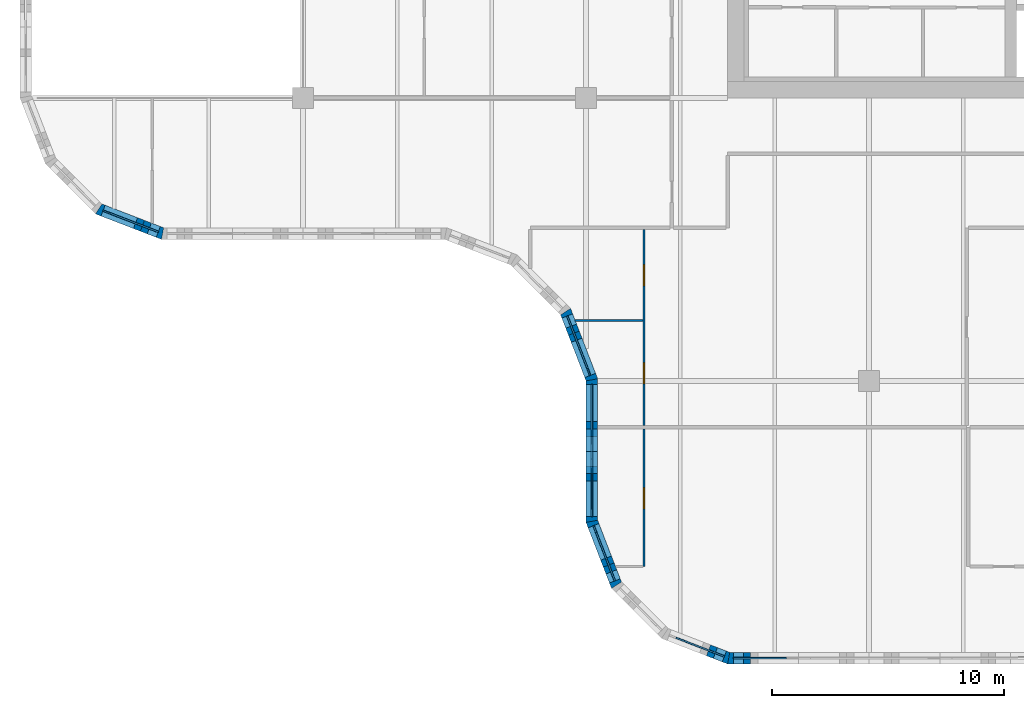
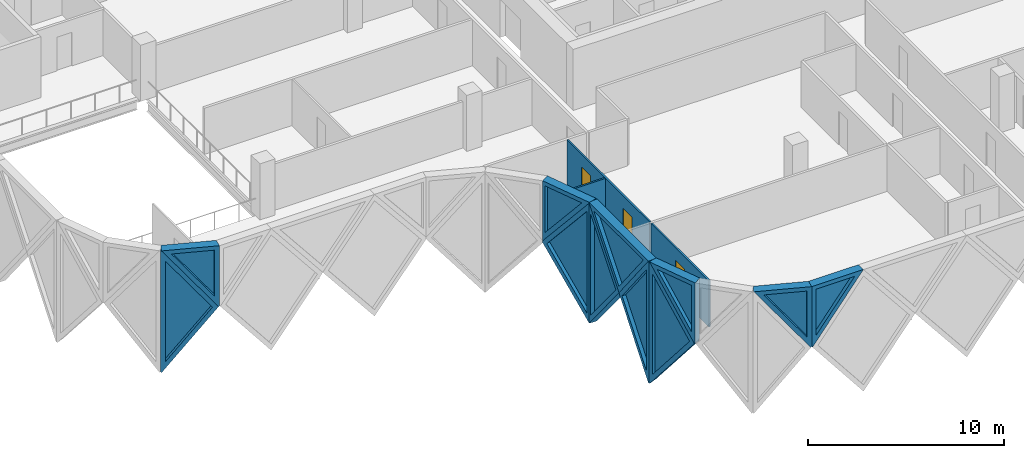
# One storey, part 3 of 15: 14 walls, 11 plates, 3 doors, 14 openings.
"""IFC4 building model written with IfcOpenShell, lengths in metres."""

import ifcopenshell
import ifcopenshell.guid

model = None  # the IFC model being written
_history = None  # IfcOwnerHistory: only IFC2X3 demands one
_inside = {}  # id of a spatial element -> (the spatial element, [elements in it])
_under = {}  # id of a project, library or spatial element -> (it, [spatial elements below it])
_declared = {}  # id of a project -> (the project, [libraries it declares])
_typed = {}  # id of a type object -> (the type object, [elements of that type])
_made_of = {}  # id of a material, layer set ... -> (it, [elements and type objects made of it])


def new_model(schema):
    """Start an empty IFC model of exactly this schema.

    Asked for "IFC4X3", IfcOpenShell would pick the latest addendum, in which some entities
    have other attributes; the version numbers below select the first issue.
    IFC2X3 requires an IfcOwnerHistory on every rooted entity: one is made here for all.
    """
    global model, _history
    if schema == "IFC4X3":
        model = ifcopenshell.file(schema_version=(4, 3, 0, 0))
    else:
        model = ifcopenshell.file(schema=schema)
    _inside.clear()
    _under.clear()
    _declared.clear()
    _typed.clear()
    _made_of.clear()
    _history = None
    if model.schema == "IFC2X3":
        org = make("IfcOrganization", Name="unknown")
        user = make(
            "IfcPersonAndOrganization",
            ThePerson=make("IfcPerson", FamilyName="unknown"),
            TheOrganization=org,
        )
        app = make(
            "IfcApplication",
            ApplicationDeveloper=org,
            Version="unknown",
            ApplicationFullName="unknown",
            ApplicationIdentifier="unknown",
        )
        _history = make(
            "IfcOwnerHistory",
            OwningUser=user,
            OwningApplication=app,
            ChangeAction="ADDED",
            CreationDate=0,
        )
    return model


def make(cls, **values):
    """One entity of the class cls with the attributes given. An attribute that is None is left unset."""
    return model.create_entity(
        cls, **{name: value for name, value in values.items() if value is not None}
    )


def rooted(cls, **values):
    """An entity with a GlobalId (a new one), such as an element, a storey or a relation."""
    return make(cls, GlobalId=ifcopenshell.guid.new(), OwnerHistory=_history, **values)


def si_unit(unit_type, name, prefix=None):
    """IfcSIUnit, for example si_unit("LENGTHUNIT", "METRE", prefix="MILLI")."""
    return make("IfcSIUnit", UnitType=unit_type, Prefix=prefix, Name=name)


def assignment(units):
    """IfcUnitAssignment: the units of a project."""
    return None if units is None else make("IfcUnitAssignment", Units=units)


def point(xyz):
    """IfcCartesianPoint."""
    return None if xyz is None else make("IfcCartesianPoint", Coordinates=xyz)


def direction(xyz):
    """IfcDirection."""
    return None if xyz is None else make("IfcDirection", DirectionRatios=xyz)


def frame(location, z_axis=None, x_axis=None):
    """IfcAxis2Placement3D, a coordinate frame: its origin and axes. An axis left out is left unset."""
    return make(
        "IfcAxis2Placement3D",
        Location=point(location),
        Axis=direction(z_axis),
        RefDirection=direction(x_axis),
    )


def frame_2d(location, x_axis=None):
    """IfcAxis2Placement2D, a coordinate frame in the plane: its origin and x axis."""
    return make(
        "IfcAxis2Placement2D", Location=point(location), RefDirection=direction(x_axis)
    )


def origin():
    """The frame at (0, 0, 0) with its axes left unset."""
    return frame((0.0, 0.0, 0.0))


def place(relative_to, where):
    """IfcLocalPlacement: puts the frame where relative to a parent placement (None: the world)."""
    return make(
        "IfcLocalPlacement", PlacementRelTo=relative_to, RelativePlacement=where
    )


def context(
    kind, dimensions, precision=None, world=None, true_north=None, identifier=None
):
    """IfcGeometricRepresentationContext, for example the 3D "Model" context."""
    return make(
        "IfcGeometricRepresentationContext",
        ContextIdentifier=identifier,
        ContextType=kind,
        CoordinateSpaceDimension=dimensions,
        Precision=precision,
        WorldCoordinateSystem=world,
        TrueNorth=true_north,
    )


def subcontext(parent, identifier, kind, view, scale=None):
    """IfcGeometricRepresentationSubContext, for example "Body" below "Model"."""
    return make(
        "IfcGeometricRepresentationSubContext",
        ContextIdentifier=identifier,
        ContextType=kind,
        ParentContext=parent,
        TargetScale=scale,
        TargetView=view,
    )


def project(units=None, contexts=None):
    """IfcProject with its units and contexts."""
    return rooted(
        "IfcProject",
        Name="project",
        RepresentationContexts=contexts,
        UnitsInContext=assignment(units),
    )


def spatial(cls, under=None, at=None, **own):
    """A site, building, storey or space (cls), placed at a placement, below another one or the project."""
    s = rooted(cls, ObjectPlacement=at, **own)
    if under is not None:
        _under.setdefault(under.id(), (under, []))[1].append(s)
    return s


def polyline(points):
    """IfcPolyline through the points."""
    return make("IfcPolyline", Points=[point(p) for p in points])


def profile(cls, at=None, kind="AREA", **sizes):
    """A parametric profile (cls). Its sizes go by their IFC names, for example OverallWidth=200.0."""
    return make(cls, ProfileType=kind, Position=at, **sizes)


def rectangle(**sizes):
    """IfcRectangleProfileDef."""
    return profile("IfcRectangleProfileDef", **sizes)


def outline(outer, holes=None, kind="AREA"):
    """IfcArbitraryClosedProfileDef: a profile drawn as a closed curve; with holes, ...WithVoids."""
    if holes is None:
        return make("IfcArbitraryClosedProfileDef", ProfileType=kind, OuterCurve=outer)
    return make(
        "IfcArbitraryProfileDefWithVoids",
        ProfileType=kind,
        OuterCurve=outer,
        InnerCurves=holes,
    )


def extrude(swept, where, along, depth):
    """IfcExtrudedAreaSolid: the profile swept, set in the frame where, extruded along a direction by depth."""
    return make(
        "IfcExtrudedAreaSolid",
        SweptArea=swept,
        Position=where,
        ExtrudedDirection=direction(along),
        Depth=depth,
    )


def faces_of(points, faces, orient=None, outer=None):
    """IfcFace entities. A face is a list of loops; a loop is a list of indices into points, from 0.

    orient and outer hold one flag for each loop. By default every Orientation is true, the
    first loop of a face is its IfcFaceOuterBound and the others are IfcFaceBound.
    """
    made = []
    for i, loops in enumerate(faces):
        bounds = []
        for j, loop in enumerate(loops):
            is_outer = j == 0 if outer is None else outer[i][j]
            bounds.append(
                make(
                    "IfcFaceOuterBound" if is_outer else "IfcFaceBound",
                    Bound=make("IfcPolyLoop", Polygon=[points[k] for k in loop]),
                    Orientation=True if orient is None else orient[i][j],
                )
            )
        made.append(make("IfcFace", Bounds=bounds))
    return made


def faceted_brep(points, faces, orient=None, outer=None, voids=None):
    """IfcFacetedBrep: a solid bounded by flat faces; with voids (closed shells), ...WithVoids."""
    shared = [point(p) for p in points]
    hull = make("IfcClosedShell", CfsFaces=faces_of(shared, faces, orient, outer))
    if voids is None:
        return make("IfcFacetedBrep", Outer=hull)
    return make(
        "IfcFacetedBrepWithVoids",
        Outer=hull,
        Voids=[
            make(cls, CfsFaces=faces_of(shared, fs, o, b)) for cls, fs, o, b in voids
        ],
    )


def shape(context_of_items, identifier, shape_type, items):
    """IfcShapeRepresentation: the items that make up one representation, for example the "Body"."""
    return make(
        "IfcShapeRepresentation",
        ContextOfItems=context_of_items,
        RepresentationIdentifier=identifier,
        RepresentationType=shape_type,
        Items=items,
    )


def source(mapping_origin, context_of_items, identifier, shape_type, items):
    """IfcRepresentationMap: a shape defined once, which mapped items show again and again."""
    return make(
        "IfcRepresentationMap",
        MappingOrigin=mapping_origin,
        MappedRepresentation=shape(context_of_items, identifier, shape_type, items),
    )


def transform(
    local_origin,
    x_axis=None,
    y_axis=None,
    z_axis=None,
    scale=None,
    scale2=None,
    scale3=None,
    uniform=True,
):
    """IfcCartesianTransformationOperator3D, or its non-uniform kind. x_axis, y_axis, z_axis: its Axis1, 2, 3."""
    if uniform:
        return make(
            "IfcCartesianTransformationOperator3D",
            Axis1=direction(x_axis),
            Axis2=direction(y_axis),
            LocalOrigin=point(local_origin),
            Scale=scale,
            Axis3=direction(z_axis),
        )
    return make(
        "IfcCartesianTransformationOperator3DnonUniform",
        Axis1=direction(x_axis),
        Axis2=direction(y_axis),
        LocalOrigin=point(local_origin),
        Scale=scale,
        Axis3=direction(z_axis),
        Scale2=scale2,
        Scale3=scale3,
    )


def mapped(mapping_source, mapping_target):
    """IfcMappedItem: shows the shape of a source again, moved by a transform."""
    return make(
        "IfcMappedItem", MappingSource=mapping_source, MappingTarget=mapping_target
    )


def material(Name=None, Category=None):
    """IfcMaterial."""
    return make("IfcMaterial", Name=Name, Category=Category)


def layer(
    of_material, thickness, ventilated=None, Name=None, Category=None, Priority=None
):
    """IfcMaterialLayer: one layer of a wall or slab, of a material (None: an air gap)."""
    return make(
        "IfcMaterialLayer",
        Material=of_material,
        LayerThickness=thickness,
        IsVentilated=ventilated,
        Name=Name,
        Category=Category,
        Priority=Priority,
    )


def layer_set(layers, Name=None):
    """IfcMaterialLayerSet."""
    return make("IfcMaterialLayerSet", MaterialLayers=layers, LayerSetName=Name)


def made_of(thing, what):
    """Note that an element or type object is made of a material, layer set ...; save() writes the relation."""
    if what is not None:
        _made_of.setdefault(what.id(), (what, []))[1].append(thing)
    return thing


def type_object(cls, material=None, **own):
    """A type object (cls), such as IfcWallType, which elements share."""
    return made_of(rooted(cls, **own), material)


def element(
    cls,
    number,
    at=None,
    inside=None,
    cuts=None,
    type_object=None,
    material=None,
    context=None,
    identifier="Body",
    shape_type=None,
    held_by="IfcProductDefinitionShape",
    body=None,
    shapes=None,
    **own,
):
    """One element of the class cls, such as IfcWall. Its Tag is "e" and its number.

    at: its placement. inside: the storey or other place that contains it. cuts: it is an
    opening in that element (IfcRelVoidsElement). A single representation is given by context,
    identifier, shape_type and body (its items); several are given by shapes. held_by: the class
    of the entity that holds the representations. save() writes the other relations.
    """
    e = rooted(cls, Tag="e%d" % number, ObjectPlacement=at, **own)
    if body is not None:
        shapes = [shape(context, identifier, shape_type, body)]
    if shapes is not None:
        e.Representation = make(held_by, Representations=shapes)
    if inside is not None:
        _inside.setdefault(inside.id(), (inside, []))[1].append(e)
    if cuts is not None:
        rooted(
            "IfcRelVoidsElement", RelatingBuildingElement=cuts, RelatedOpeningElement=e
        )
    if type_object is not None:
        _typed.setdefault(type_object.id(), (type_object, []))[1].append(e)
    return made_of(e, material)


def fill(opening, filler):
    """IfcRelFillsElement: the door or window that sits in an opening."""
    return rooted(
        "IfcRelFillsElement",
        RelatingOpeningElement=opening,
        RelatedBuildingElement=filler,
    )


def aggregate(whole, parts):
    """IfcRelAggregates: a whole, such as a stair, and the parts it consists of."""
    return rooted("IfcRelAggregates", RelatingObject=whole, RelatedObjects=parts)


def save(model, path):
    """Write the relations noted so far, then the file.

    IfcRelAggregates (storeys below a building ...), IfcRelContainedInSpatialStructure (elements
    in a storey), IfcRelDefinesByType, IfcRelAssociatesMaterial and IfcRelDeclares: one each for
    every whole, place, type object, material and project.
    """
    for whole, parts in _under.values():
        aggregate(whole, parts)
    for where, things in _inside.values():
        rooted(
            "IfcRelContainedInSpatialStructure",
            RelatedElements=things,
            RelatingStructure=where,
        )
    for kind, things in _typed.values():
        rooted("IfcRelDefinesByType", RelatedObjects=things, RelatingType=kind)
    for what, things in _made_of.values():
        rooted("IfcRelAssociatesMaterial", RelatedObjects=things, RelatingMaterial=what)
    for by, libraries in _declared.values():
        rooted("IfcRelDeclares", RelatingContext=by, RelatedDefinitions=libraries)
    model.write(path)


model = new_model("IFC4")

# Units and contexts
model_context = context("Model", 3, precision=1e-05, world=origin(), true_north=direction((0.0, 1.0)))
body_context = subcontext(model_context, "Body", "Model", "MODEL_VIEW")
ifc_project = project(units=[si_unit("LENGTHUNIT", "METRE"), si_unit("AREAUNIT", "SQUARE_METRE"), si_unit("VOLUMEUNIT", "CUBIC_METRE"), si_unit("PLANEANGLEUNIT", "RADIAN"), si_unit("MASSUNIT", "GRAM", prefix="KILO")], contexts=[model_context])

# Site, building, storey
site_placement = place(None, origin())
site = spatial("IfcSite", under=ifc_project, at=site_placement, CompositionType="ELEMENT")
building_placement = place(site_placement, origin())
building = spatial("IfcBuilding", under=site, at=building_placement, Name="Tessera Gate Towers", CompositionType="ELEMENT")
storey_placement = place(building_placement, frame((0.0, 0.0, 146.800048828125)))
storey = spatial("IfcBuildingStorey", under=building, at=storey_placement, Name="L36", CompositionType="ELEMENT", Elevation=146.800048828125)

# Wall, opening, door
ifc_material_1 = material(Name="Gypsum board on steel studs", Category="steel")
ifc_layer_1 = layer(ifc_material_1, 0.10009765625)
ifc_layer_set_1 = layer_set([ifc_layer_1], Name="PARTITION 100")
wall_type_1 = type_object("IfcWallType", Name="PARTITION 100", PredefinedType="PARTITIONING", material=ifc_layer_set_1)
wall_1_placement = place(storey_placement, frame((26.89990234375, 4.199951171875, 0.0), z_axis=(0.0, 0.0, 1.0), x_axis=(0.0, 1.0, 0.0)))
wall_1 = element("IfcWall", 1, at=wall_1_placement, inside=storey, type_object=wall_type_1, Name="T1-L36-PW-004", PredefinedType="PARTITIONING", context=body_context, shape_type="SweptSolid", body=[
    extrude(rectangle(XDim=5.924072265625, YDim=0.10009765625, at=frame_2d((2.9619140625, 0.0))), origin(), (0.0, 0.0, 1.0), 2.887939453125),
])
shared_shape_1 = source(origin(), body_context, "Body", "SweptSolid", [
    extrude(rectangle(XDim=0.89990234375, YDim=2.10009765625, at=frame_2d((0.449951171875, 1.050048828125))), frame((0.0, 0.06005859375, 0.0), z_axis=(0.0, -1.0, 0.0), x_axis=(1.0, 0.0, 0.0)), (0.0, 0.0, 1.0), 0.1201171875),
])
opening_1_placement = place(wall_1_placement, frame((2.5, 0.0, 0.0)))
opening_1 = element("IfcOpeningElement", 2, at=opening_1_placement, cuts=wall_1, Name="Opening D190-A13-09", PredefinedType="OPENING", context=body_context, shape_type="MappedRepresentation", body=[
    mapped(shared_shape_1, transform((0.0, 0.0, 0.0), scale=1.0)),
])
ifc_material_2 = material(Name="Timber door leaf in steel frame", Category="steel")
door_type = type_object("IfcDoorType", Name="INTERNAL DOOR 900 NOT RATED", OperationType="NOTDEFINED", PredefinedType="DOOR", material=ifc_material_2)
shared_shape_2 = source(origin(), body_context, "Body", "SweptSolid", [
    extrude(rectangle(XDim=0.89990234375, YDim=2.10009765625, at=frame_2d((0.449951171875, 1.050048828125))), frame((0.0, 0.02490234375, 0.0), z_axis=(0.0, -1.0, 0.0), x_axis=(1.0, 0.0, 0.0)), (0.0, 0.0, 1.0), 0.050048828125),
])
door_1_placement = place(opening_1_placement, origin())
door_1 = element("IfcDoor", 3, at=door_1_placement, inside=storey, type_object=door_type, Name="T1-L36-PD-017", OperationType="SINGLE_SWING_LEFT", OverallHeight=2.10009765625, OverallWidth=0.89990234375, PredefinedType="DOOR", context=body_context, shape_type="MappedRepresentation", body=[
    mapped(shared_shape_2, transform((0.0, 0.0, 0.0), scale=1.0)),
])
fill(opening_1, door_1)

# Wall, openings, doors
wall_2_placement = place(storey_placement, frame((26.89990234375, 10.27587890625, 0.0), z_axis=(0.0, 0.0, 1.0), x_axis=(0.0, 1.0, 0.0)))
wall_2 = element("IfcWall", 4, at=wall_2_placement, inside=storey, type_object=wall_type_1, Name="T1-L36-PW-013", PredefinedType="PARTITIONING", context=body_context, shape_type="SweptSolid", body=[
    extrude(rectangle(XDim=8.4482421875, YDim=0.10009765625, at=frame_2d((4.22412109375, 0.0))), origin(), (0.0, 0.0, 1.0), 2.887939453125),
])
opening_2_placement = place(wall_2_placement, frame((6.02587890625, 0.0, 0.0)))
opening_2 = element("IfcOpeningElement", 5, at=opening_2_placement, cuts=wall_2, Name="Opening D190-A13-01", PredefinedType="OPENING", context=body_context, shape_type="MappedRepresentation", body=[
    mapped(shared_shape_1, transform((0.0, 0.0, 0.0), scale=1.0)),
])
opening_3_placement = place(wall_2_placement, frame((1.800048828125, 0.0, 0.0)))
opening_3 = element("IfcOpeningElement", 6, at=opening_3_placement, cuts=wall_2, Name="Opening D190-A13-02", PredefinedType="OPENING", context=body_context, shape_type="MappedRepresentation", body=[
    mapped(shared_shape_1, transform((0.0, 0.0, 0.0), scale=1.0)),
])
door_2_placement = place(opening_2_placement, origin())
door_2 = element("IfcDoor", 7, at=door_2_placement, inside=storey, type_object=door_type, Name="T1-L36-PD-002", OperationType="SINGLE_SWING_LEFT", OverallHeight=2.10009765625, OverallWidth=0.89990234375, PredefinedType="DOOR", context=body_context, shape_type="MappedRepresentation", body=[
    mapped(shared_shape_2, transform((0.0, 0.0, 0.0), scale=1.0)),
])
fill(opening_2, door_2)
door_3_placement = place(opening_3_placement, origin())
door_3 = element("IfcDoor", 8, at=door_3_placement, inside=storey, type_object=door_type, Name="T1-L36-PD-004", OperationType="SINGLE_SWING_LEFT", OverallHeight=2.10009765625, OverallWidth=0.89990234375, PredefinedType="DOOR", context=body_context, shape_type="MappedRepresentation", body=[
    mapped(shared_shape_2, transform((0.0, 0.0, 0.0), scale=1.0)),
])
fill(opening_3, door_3)

# Wall
wall_3_placement = place(storey_placement, frame((23.9326171875, 14.801025390625, 0.0), z_axis=(0.0, 0.0, 1.0), x_axis=(1.0, 0.0, 0.0)))
element("IfcWall", 9, at=wall_3_placement, inside=storey, type_object=wall_type_1, Name="T1-L36-PW-019", PredefinedType="PARTITIONING", context=body_context, shape_type="SweptSolid", body=[
    extrude(rectangle(XDim=2.91650390625, YDim=0.10009765625, at=frame_2d((1.458251953125, 0.0))), origin(), (0.0, 0.0, 1.0), 2.887939453125),
])

# Wall, opening, plate
ifc_material_3 = material(Name="Precast concrete C60/75 white", Category="concrete")
ifc_layer_2 = layer(ifc_material_3, 0.5)
ifc_layer_set_2 = layer_set([ifc_layer_2], Name="TS3 corner tessera")
wall_type_2 = type_object("IfcWallType", Name="TS3 corner tessera", PredefinedType="SOLIDWALL", material=ifc_layer_set_2)
shared_shape_3 = source(origin(), body_context, "Body", "Brep", [
    faceted_brep([(3.00341796875, -0.25, 0.0), (3.050048828125, -0.25, 0.06005859375), (3.050048828125, -0.25, 7.5400390625), (3.00341796875, -0.25, 7.60009765625), (0.0, -0.25, 3.800048828125), (0.0, 0.25, 3.800048828125), (2.956787109375, 0.25, 7.541259765625), (2.956787109375, 0.25, 0.058837890625), (3.00341796875, 0.000244140625, 0.0), (3.00341796875, 0.000244140625, 7.60009765625)], [[[0, 1, 2, 3, 4]], [[5, 6, 7]], [[1, 0, 8]], [[9, 3, 2]], [[6, 5, 4, 3, 9]], [[5, 7, 8, 0, 4]], [[1, 8, 7, 6, 9, 2]]]),
])
wall_4_placement = place(storey_placement, frame((24.64990234375, 9.14990234375, -3.800048828125), z_axis=(0.0, 0.0, 1.0), x_axis=(0.0, -1.0, 0.0)))
wall_4 = element("IfcWall", 10, at=wall_4_placement, inside=storey, type_object=wall_type_2, Name="Precast corner tessera T1 TS3-0837", PredefinedType="SOLIDWALL", context=body_context, shape_type="MappedRepresentation", body=[
    mapped(shared_shape_3, transform((0.0, 0.0, 0.0), scale=1.0)),
])
shared_shape_4 = source(origin(), body_context, "Body", "SweptSolid", [
    extrude(outline(polyline([(2.803466796875, 6.94384765625), (0.318603515625, 3.800048828125), (2.803466796875, 0.65625), (2.803466796875, 6.94384765625)])), frame((0.0, 0.260009765625, 0.0), z_axis=(0.0, -1.0, 0.0), x_axis=(1.0, 0.0, 0.0)), (0.0, 0.0, 1.0), 0.52001953125),
])
opening_4_placement = place(wall_4_placement, origin())
opening_4 = element("IfcOpeningElement", 11, at=opening_4_placement, cuts=wall_4, Name="Opening T1-PL2-1312", PredefinedType="OPENING", context=body_context, shape_type="MappedRepresentation", body=[
    mapped(shared_shape_4, transform((0.0, 0.0, 0.0), scale=1.0)),
])
ifc_material_4 = material(Name="Low-e laminated glass", Category="glass")
ifc_layer_3 = layer(ifc_material_4, 0.06005859375)
ifc_layer_set_3 = layer_set([ifc_layer_3], Name="PL2 rhombic pane")
plate_type_1 = type_object("IfcPlateType", Name="PL2 rhombic pane", PredefinedType="SHEET", material=ifc_layer_set_3)
shared_shape_5 = source(origin(), body_context, "Body", "SweptSolid", [
    extrude(outline(polyline([(2.803466796875, 6.94384765625), (0.318603515625, 3.800048828125), (2.803466796875, 0.65625), (2.803466796875, 6.94384765625)])), frame((0.0, 0.030029296875, 0.0), z_axis=(0.0, -1.0, 0.0), x_axis=(1.0, 0.0, 0.0)), (0.0, 0.0, 1.0), 0.06005859375),
])
plate_1_placement = place(opening_4_placement, origin())
plate_1 = element("IfcPlate", 12, at=plate_1_placement, inside=storey, type_object=plate_type_1, Name="Glass pane T1 PL2-1312", PredefinedType="SHEET", context=body_context, shape_type="MappedRepresentation", body=[
    mapped(shared_shape_5, transform((0.0, 0.0, 0.0), scale=1.0)),
])
fill(opening_4, plate_1)

shared_shape_6 = source(origin(), body_context, "Body", "Brep", [
    faceted_brep([(0.046630859375, -0.25, 0.0), (2.9970703125, -0.25, 3.800048828125), (0.046630859375, -0.25, 7.60009765625), (0.0, -0.25, 7.541259765625), (0.0, -0.25, 0.058837890625), (0.09326171875, 0.25, 7.5400390625), (2.9443359375, 0.25, 3.8681640625), (2.9443359375, 0.25, 3.73193359375), (0.09326171875, 0.25, 0.06005859375), (2.9970703125, 0.00048828125, 3.800048828125), (0.046630859375, 0.0, 0.0), (0.046630859375, 0.0, 7.60009765625)], [[[0, 1, 2, 3, 4]], [[5, 6, 7, 8]], [[8, 7, 9, 1, 0, 10]], [[6, 5, 11, 2, 1, 9]], [[3, 2, 11]], [[10, 0, 4]], [[8, 10, 4, 3, 11, 5]], [[9, 7, 6]]]),
])
wall_5_placement = place(storey_placement, frame((24.63330078125, 6.18994140625, -3.800048828125), z_axis=(0.0, 0.0, 1.0), x_axis=(0.359901446078, -0.932990326376, 0.0)))
wall_5 = element("IfcWall", 13, at=wall_5_placement, inside=storey, type_object=wall_type_2, Name="Precast corner tessera T1 TS3-0838", PredefinedType="SOLIDWALL", context=body_context, shape_type="MappedRepresentation", body=[
    mapped(shared_shape_6, transform((0.0, 0.0, 0.0), scale=1.0)),
])
shared_shape_7 = source(origin(), body_context, "Body", "SweptSolid", [
    extrude(outline(polyline([(0.24658203125, 0.665283203125), (2.6806640625, 3.800048828125), (0.24658203125, 6.934814453125), (0.24658203125, 0.665283203125)])), frame((0.0, 0.260009765625, 0.0), z_axis=(0.0, -1.0, 0.0), x_axis=(1.0, 0.0, 0.0)), (0.0, 0.0, 1.0), 0.52001953125),
])
opening_5_placement = place(wall_5_placement, origin())
opening_5 = element("IfcOpeningElement", 14, at=opening_5_placement, cuts=wall_5, Name="Opening T1-PL2-1313", PredefinedType="OPENING", context=body_context, shape_type="MappedRepresentation", body=[
    mapped(shared_shape_7, transform((0.0, 0.0, 0.0), scale=1.0)),
])
shared_shape_8 = source(origin(), body_context, "Body", "SweptSolid", [
    extrude(outline(polyline([(0.24658203125, 0.665283203125), (2.6806640625, 3.800048828125), (0.24658203125, 6.934814453125), (0.24658203125, 0.665283203125)])), frame((0.0, 0.030029296875, 0.0), z_axis=(0.0, -1.0, 0.0), x_axis=(1.0, 0.0, 0.0)), (0.0, 0.0, 1.0), 0.06005859375),
])
plate_2_placement = place(opening_5_placement, origin())
plate_2 = element("IfcPlate", 15, at=plate_2_placement, inside=storey, type_object=plate_type_1, Name="Glass pane T1 PL2-1313", PredefinedType="SHEET", context=body_context, shape_type="MappedRepresentation", body=[
    mapped(shared_shape_8, transform((0.0, 0.0, 0.0), scale=1.0)),
])
fill(opening_5, plate_2)

shared_shape_9 = source(origin(), body_context, "Body", "Brep", [
    faceted_brep([(0.052978515625, -0.25, 0.0), (3.00341796875, -0.25, 3.800048828125), (0.052978515625, -0.25, 7.60009765625), (0.0, -0.25, 7.53173828125), (0.0, -0.25, 0.068359375), (0.10595703125, 0.25, 7.531982421875), (2.95703125, 0.25, 3.85986328125), (2.95703125, 0.25, 3.740234375), (0.10595703125, 0.25, 0.068115234375), (3.00341796875, 0.00048828125, 3.800048828125), (0.052978515625, 0.0, 0.0), (0.052978515625, 0.0, 7.60009765625)], [[[0, 1, 2, 3, 4]], [[5, 6, 7, 8]], [[8, 7, 9, 1, 0, 10]], [[6, 5, 11, 2, 1, 9]], [[3, 2, 11]], [[10, 0, 4]], [[8, 10, 4, 3, 11, 5]], [[9, 7, 6]]]),
])
wall_6_placement = place(storey_placement, frame((3.34423828125, 19.630859375, -3.800048828125), z_axis=(0.0, 0.0, 1.0), x_axis=(0.933007896601, -0.359855894603, 0.0)))
wall_6 = element("IfcWall", 16, at=wall_6_placement, inside=storey, type_object=wall_type_2, Name="Precast corner tessera T1 TS3-0832", PredefinedType="SOLIDWALL", context=body_context, shape_type="MappedRepresentation", body=[
    mapped(shared_shape_9, transform((0.0, 0.0, 0.0), scale=1.0)),
])
shared_shape_10 = source(origin(), body_context, "Body", "SweptSolid", [
    extrude(outline(polyline([(0.2529296875, 0.665283203125), (2.68701171875, 3.800048828125), (0.2529296875, 6.934814453125), (0.2529296875, 0.665283203125)])), frame((0.0, 0.260009765625, 0.0), z_axis=(0.0, -1.0, 0.0), x_axis=(1.0, 0.0, 0.0)), (0.0, 0.0, 1.0), 0.52001953125),
])
opening_6_placement = place(wall_6_placement, origin())
opening_6 = element("IfcOpeningElement", 17, at=opening_6_placement, cuts=wall_6, Name="Opening T1-PL2-1305", PredefinedType="OPENING", context=body_context, shape_type="MappedRepresentation", body=[
    mapped(shared_shape_10, transform((0.0, 0.0, 0.0), scale=1.0)),
])
shared_shape_11 = source(origin(), body_context, "Body", "SweptSolid", [
    extrude(outline(polyline([(0.2529296875, 0.665283203125), (2.68701171875, 3.800048828125), (0.2529296875, 6.934814453125), (0.2529296875, 0.665283203125)])), frame((0.0, 0.030029296875, 0.0), z_axis=(0.0, -1.0, 0.0), x_axis=(1.0, 0.0, 0.0)), (0.0, 0.0, 1.0), 0.06005859375),
])
plate_3_placement = place(opening_6_placement, origin())
plate_3 = element("IfcPlate", 18, at=plate_3_placement, inside=storey, type_object=plate_type_1, Name="Glass pane T1 PL2-1305", PredefinedType="SHEET", context=body_context, shape_type="MappedRepresentation", body=[
    mapped(shared_shape_11, transform((0.0, 0.0, 0.0), scale=1.0)),
])
fill(opening_6, plate_3)

shared_shape_12 = source(origin(), body_context, "Body", "Brep", [
    faceted_brep([(3.10302734375, -0.25, 7.5439453125), (0.052978515625, -0.25, 3.864013671875), (0.052978515625, -0.25, 3.736083984375), (3.10302734375, -0.25, 0.05615234375), (0.0, 0.25, 3.800048828125), (3.1494140625, 0.25, 7.60009765625), (3.196044921875, 0.25, 7.54296875), (3.196044921875, 0.25, 0.05712890625), (3.1494140625, 0.25, 0.0), (3.1494140625, -0.000244140625, 0.0), (3.1494140625, -0.000244140625, 7.60009765625), (0.0, 0.0, 3.800048828125)], [[[0, 1, 2, 3]], [[4, 5, 6, 7, 8]], [[8, 7, 9]], [[6, 5, 10]], [[5, 4, 11, 1, 0, 10]], [[4, 8, 9, 3, 2, 11]], [[11, 2, 1]], [[3, 9, 7, 6, 10, 0]]]),
])
wall_7_placement = place(storey_placement, frame((23.5166015625, 15.18505859375, -3.800048828125), z_axis=(0.0, 0.0, 1.0), x_axis=(0.359864468756, -0.933004589553, 0.0)))
wall_7 = element("IfcWall", 19, at=wall_7_placement, inside=storey, type_object=wall_type_2, Name="Precast corner tessera T1 TS3-0835", PredefinedType="SOLIDWALL", context=body_context, shape_type="MappedRepresentation", body=[
    mapped(shared_shape_12, transform((0.0, 0.0, 0.0), scale=1.0)),
])
shared_shape_13 = source(origin(), body_context, "Body", "SweptSolid", [
    extrude(outline(polyline([(2.949462890625, 6.966796875), (0.32470703125, 3.800048828125), (2.949462890625, 0.633056640625), (2.949462890625, 6.966796875)])), frame((0.0, 0.260009765625, 0.0), z_axis=(0.0, -1.0, 0.0), x_axis=(1.0, 0.0, 0.0)), (0.0, 0.0, 1.0), 0.52001953125),
])
opening_7_placement = place(wall_7_placement, origin())
opening_7 = element("IfcOpeningElement", 20, at=opening_7_placement, cuts=wall_7, Name="Opening T1-PL2-1310", PredefinedType="OPENING", context=body_context, shape_type="MappedRepresentation", body=[
    mapped(shared_shape_13, transform((0.0, 0.0, 0.0), scale=1.0)),
])
shared_shape_14 = source(origin(), body_context, "Body", "SweptSolid", [
    extrude(outline(polyline([(2.949462890625, 6.966796875), (0.32470703125, 3.800048828125), (2.949462890625, 0.633056640625), (2.949462890625, 6.966796875)])), frame((0.0, 0.030029296875, 0.0), z_axis=(0.0, -1.0, 0.0), x_axis=(1.0, 0.0, 0.0)), (0.0, 0.0, 1.0), 0.06005859375),
])
plate_4_placement = place(opening_7_placement, origin())
plate_4 = element("IfcPlate", 21, at=plate_4_placement, inside=storey, type_object=plate_type_1, Name="Glass pane T1 PL2-1310", PredefinedType="SHEET", context=body_context, shape_type="MappedRepresentation", body=[
    mapped(shared_shape_14, transform((0.0, 0.0, 0.0), scale=1.0)),
])
fill(opening_7, plate_4)

shared_shape_15 = source(origin(), body_context, "Body", "Brep", [
    faceted_brep([(0.09326171875, -0.25, 0.05712890625), (3.14306640625, -0.25, 3.800048828125), (0.09326171875, -0.25, 7.54296875), (0.0, 0.25, 7.5439453125), (0.046630859375, 0.25, 7.60009765625), (3.14306640625, 0.25, 3.800048828125), (0.046630859375, 0.25, 0.0), (0.0, 0.25, 0.05615234375), (0.046630859375, 0.0, 0.0), (0.046630859375, 0.0, 7.60009765625)], [[[0, 1, 2]], [[3, 4, 5, 6, 7]], [[6, 5, 1, 0, 8]], [[5, 4, 9, 2, 1]], [[4, 3, 9]], [[7, 6, 8]], [[7, 8, 0, 2, 9, 3]]]),
])
wall_8_placement = place(storey_placement, frame((24.64990234375, 12.293212890625, -3.800048828125), z_axis=(0.0, 0.0, 1.0), x_axis=(0.0, -1.0, 0.0)))
wall_8 = element("IfcWall", 22, at=wall_8_placement, inside=storey, type_object=wall_type_2, Name="Precast corner tessera T1 TS3-0836", PredefinedType="SOLIDWALL", context=body_context, shape_type="MappedRepresentation", body=[
    mapped(shared_shape_15, transform((0.0, 0.0, 0.0), scale=1.0)),
])
shared_shape_16 = source(origin(), body_context, "Body", "SweptSolid", [
    extrude(outline(polyline([(0.24658203125, 0.64111328125), (2.82080078125, 3.800048828125), (0.24658203125, 6.958740234375), (0.24658203125, 0.64111328125)])), frame((0.0, 0.260009765625, 0.0), z_axis=(0.0, -1.0, 0.0), x_axis=(1.0, 0.0, 0.0)), (0.0, 0.0, 1.0), 0.52001953125),
])
opening_8_placement = place(wall_8_placement, origin())
opening_8 = element("IfcOpeningElement", 23, at=opening_8_placement, cuts=wall_8, Name="Opening T1-PL2-1311", PredefinedType="OPENING", context=body_context, shape_type="MappedRepresentation", body=[
    mapped(shared_shape_16, transform((0.0, 0.0, 0.0), scale=1.0)),
])
shared_shape_17 = source(origin(), body_context, "Body", "SweptSolid", [
    extrude(outline(polyline([(0.24658203125, 0.64111328125), (2.82080078125, 3.800048828125), (0.24658203125, 6.958740234375), (0.24658203125, 0.64111328125)])), frame((0.0, 0.030029296875, 0.0), z_axis=(0.0, -1.0, 0.0), x_axis=(1.0, 0.0, 0.0)), (0.0, 0.0, 1.0), 0.06005859375),
])
plate_5_placement = place(opening_8_placement, origin())
plate_5 = element("IfcPlate", 24, at=plate_5_placement, inside=storey, type_object=plate_type_1, Name="Glass pane T1 PL2-1311", PredefinedType="SHEET", context=body_context, shape_type="MappedRepresentation", body=[
    mapped(shared_shape_17, transform((0.0, 0.0, 0.0), scale=1.0)),
])
fill(opening_8, plate_5)

shared_shape_18 = source(origin(), body_context, "Body", "Brep", [
    faceted_brep([(0.046630859375, -0.25, 0.0), (3.050048828125, -0.25, 3.800048828125), (0.0, -0.25, 3.800048828125), (0.0, -0.25, 0.06005859375), (0.09326171875, 0.25, 3.800048828125), (3.050048828125, 0.25, 3.800048828125), (0.09326171875, 0.25, 0.058837890625), (0.046630859375, 0.0, 0.0)], [[[0, 1, 2, 3]], [[4, 5, 6]], [[6, 5, 1, 0, 7]], [[5, 4, 2, 1]], [[7, 0, 3]], [[6, 7, 3, 2, 4]]]),
])
wall_9_placement = place(storey_placement, frame((30.5, 0.25, 0.0), z_axis=(0.0, 0.0, 1.0), x_axis=(1.0, 0.0, 0.0)))
wall_9 = element("IfcWall", 25, at=wall_9_placement, inside=storey, type_object=wall_type_2, Name="Precast corner tessera T1 TS3-0841", PredefinedType="SOLIDWALL", context=body_context, shape_type="MappedRepresentation", body=[
    mapped(shared_shape_18, transform((0.0, 0.0, 0.0), scale=1.0)),
])
shared_shape_19 = source(origin(), body_context, "Body", "SweptSolid", [
    extrude(outline(polyline([(0.24658203125, 0.65625), (2.533935546875, 3.550048828125), (0.24658203125, 3.550048828125), (0.24658203125, 0.65625)])), frame((0.0, 0.260009765625, 0.0), z_axis=(0.0, -1.0, 0.0), x_axis=(1.0, 0.0, 0.0)), (0.0, 0.0, 1.0), 0.52001953125),
])
opening_9_placement = place(wall_9_placement, origin())
opening_9 = element("IfcOpeningElement", 26, at=opening_9_placement, cuts=wall_9, Name="Opening T1-PL1-0329", PredefinedType="OPENING", context=body_context, shape_type="MappedRepresentation", body=[
    mapped(shared_shape_19, transform((0.0, 0.0, 0.0), scale=1.0)),
])
ifc_material_5 = material(Name="Low-e laminated glass", Category="glass")
ifc_layer_4 = layer(ifc_material_5, 0.06005859375)
ifc_layer_set_4 = layer_set([ifc_layer_4], Name="PL1 triangular pane")
plate_type_2 = type_object("IfcPlateType", Name="PL1 triangular pane", PredefinedType="SHEET", material=ifc_layer_set_4)
shared_shape_20 = source(origin(), body_context, "Body", "SweptSolid", [
    extrude(outline(polyline([(0.24658203125, 0.65625), (2.533935546875, 3.550048828125), (0.24658203125, 3.550048828125), (0.24658203125, 0.65625)])), frame((0.0, 0.030029296875, 0.0), z_axis=(0.0, -1.0, 0.0), x_axis=(1.0, 0.0, 0.0)), (0.0, 0.0, 1.0), 0.06005859375),
])
plate_6_placement = place(opening_9_placement, origin())
plate_6 = element("IfcPlate", 27, at=plate_6_placement, inside=storey, type_object=plate_type_2, Name="Glass pane T1 PL1-0329", PredefinedType="SHEET", context=body_context, shape_type="MappedRepresentation", body=[
    mapped(shared_shape_20, transform((0.0, 0.0, 0.0), scale=1.0)),
])
fill(opening_9, plate_6)

shared_shape_21 = source(origin(), body_context, "Body", "Brep", [
    faceted_brep([(2.950439453125, -0.25, 0.0), (2.9970703125, -0.25, 0.05908203125), (2.9970703125, -0.25, 3.800048828125), (0.0, -0.25, 3.800048828125), (0.052978515625, 0.25, 3.800048828125), (2.904052734375, 0.25, 3.800048828125), (2.904052734375, 0.25, 0.059814453125), (0.052978515625, 0.25, 3.73193359375), (2.950439453125, 0.00048828125, 0.0), (0.0, 0.0, 3.800048828125)], [[[0, 1, 2, 3]], [[4, 5, 6, 7]], [[1, 0, 8]], [[5, 4, 9, 3, 2]], [[7, 6, 8, 0, 3, 9]], [[7, 9, 4]], [[1, 8, 6, 5, 2]]]),
])
wall_10_placement = place(storey_placement, frame((27.793701171875, 1.31201171875, 0.0), z_axis=(0.0, 0.0, 1.0), x_axis=(0.932973525033, -0.359944998003, 0.0)))
wall_10 = element("IfcWall", 28, at=wall_10_placement, inside=storey, type_object=wall_type_2, Name="Precast corner tessera T1 TS3-0842", PredefinedType="SOLIDWALL", context=body_context, shape_type="MappedRepresentation", body=[
    mapped(shared_shape_21, transform((0.0, 0.0, 0.0), scale=1.0)),
])
shared_shape_22 = source(origin(), body_context, "Body", "SweptSolid", [
    extrude(outline(polyline([(2.75048828125, 3.550048828125), (0.5107421875, 3.550048828125), (2.75048828125, 0.665283203125), (2.75048828125, 3.550048828125)])), frame((0.0, 0.260009765625, 0.0), z_axis=(0.0, -1.0, 0.0), x_axis=(1.0, 0.0, 0.0)), (0.0, 0.0, 1.0), 0.52001953125),
])
opening_10_placement = place(wall_10_placement, origin())
opening_10 = element("IfcOpeningElement", 29, at=opening_10_placement, cuts=wall_10, Name="Opening T1-PL1-0330", PredefinedType="OPENING", context=body_context, shape_type="MappedRepresentation", body=[
    mapped(shared_shape_22, transform((0.0, 0.0, 0.0), scale=1.0)),
])
shared_shape_23 = source(origin(), body_context, "Body", "SweptSolid", [
    extrude(outline(polyline([(2.75048828125, 3.550048828125), (0.5107421875, 3.550048828125), (2.75048828125, 0.665283203125), (2.75048828125, 3.550048828125)])), frame((0.0, 0.030029296875, 0.0), z_axis=(0.0, -1.0, 0.0), x_axis=(1.0, 0.0, 0.0)), (0.0, 0.0, 1.0), 0.06005859375),
])
plate_7_placement = place(opening_10_placement, origin())
plate_7 = element("IfcPlate", 30, at=plate_7_placement, inside=storey, type_object=plate_type_2, Name="Glass pane T1 PL1-0330", PredefinedType="SHEET", context=body_context, shape_type="MappedRepresentation", body=[
    mapped(shared_shape_23, transform((0.0, 0.0, 0.0), scale=1.0)),
])
fill(opening_10, plate_7)

shared_shape_24 = source(origin(), body_context, "Body", "Brep", [
    faceted_brep([(2.950439453125, -0.25, 0.0), (2.9970703125, -0.25, 0.05908203125), (2.9970703125, -0.25, 3.800048828125), (0.0, -0.25, 3.800048828125), (0.052978515625, 0.25, 3.800048828125), (2.904052734375, 0.25, 3.800048828125), (2.904052734375, 0.25, 0.059814453125), (0.052978515625, 0.25, 3.73193359375), (2.950439453125, 0.00048828125, 0.0), (0.0, 0.0, 3.800048828125)], [[[0, 1, 2, 3]], [[4, 5, 6, 7]], [[1, 0, 8]], [[5, 4, 9, 3, 2]], [[7, 6, 8, 0, 3, 9]], [[7, 9, 4]], [[1, 8, 6, 5, 2]]]),
])
wall_11_placement = place(storey_placement, frame((3.393798828125, 19.61181640625, 0.0), z_axis=(0.0, 0.0, 1.0), x_axis=(0.932990326376, -0.359901446078, 0.0)))
wall_11 = element("IfcWall", 31, at=wall_11_placement, inside=storey, type_object=wall_type_2, Name="Precast corner tessera T1 TS3-0857", PredefinedType="SOLIDWALL", context=body_context, shape_type="MappedRepresentation", body=[
    mapped(shared_shape_24, transform((0.0, 0.0, 0.0), scale=1.0)),
])
opening_11_placement = place(wall_11_placement, origin())
opening_11 = element("IfcOpeningElement", 32, at=opening_11_placement, cuts=wall_11, Name="Opening T1-PL1-0366", PredefinedType="OPENING", context=body_context, shape_type="MappedRepresentation", body=[
    mapped(shared_shape_22, transform((0.0, 0.0, 0.0), scale=1.0)),
])
plate_8_placement = place(opening_11_placement, origin())
plate_8 = element("IfcPlate", 33, at=plate_8_placement, inside=storey, type_object=plate_type_2, Name="Glass pane T1 PL1-0366", PredefinedType="SHEET", context=body_context, shape_type="MappedRepresentation", body=[
    mapped(shared_shape_23, transform((0.0, 0.0, 0.0), scale=1.0)),
])
fill(opening_11, plate_8)

shared_shape_25 = source(origin(), body_context, "Body", "Brep", [
    faceted_brep([(0.10595703125, -0.25, 0.06396484375), (3.156005859375, -0.25, 3.743896484375), (3.156005859375, -0.25, 3.800048828125), (0.10595703125, -0.25, 3.800048828125), (0.0, 0.25, 3.800048828125), (3.202392578125, 0.25, 3.800048828125), (0.052978515625, 0.25, 0.0), (0.0, 0.25, 0.063720703125), (3.202392578125, -0.000244140625, 3.800048828125), (0.052978515625, 0.0, 0.0)], [[[0, 1, 2, 3]], [[4, 5, 6, 7]], [[6, 5, 8, 1, 0, 9]], [[5, 4, 3, 2, 8]], [[7, 6, 9]], [[7, 9, 0, 3, 4]], [[1, 8, 2]]]),
])
wall_12_placement = place(storey_placement, frame((23.497314453125, 15.234375, 0.0), z_axis=(0.0, 0.0, 1.0), x_axis=(0.359913782069, -0.932985567668, 0.0)))
wall_12 = element("IfcWall", 34, at=wall_12_placement, inside=storey, type_object=wall_type_2, Name="Precast corner tessera T1 TS3-0862", PredefinedType="SOLIDWALL", context=body_context, shape_type="MappedRepresentation", body=[
    mapped(shared_shape_25, transform((0.0, 0.0, 0.0), scale=1.0)),
])
shared_shape_26 = source(origin(), body_context, "Body", "SweptSolid", [
    extrude(outline(polyline([(0.2529296875, 0.633056640625), (2.670654296875, 3.550048828125), (0.2529296875, 3.550048828125), (0.2529296875, 0.633056640625)])), frame((0.0, 0.260009765625, 0.0), z_axis=(0.0, -1.0, 0.0), x_axis=(1.0, 0.0, 0.0)), (0.0, 0.0, 1.0), 0.52001953125),
])
opening_12_placement = place(wall_12_placement, origin())
opening_12 = element("IfcOpeningElement", 35, at=opening_12_placement, cuts=wall_12, Name="Opening T1-PL1-0372", PredefinedType="OPENING", context=body_context, shape_type="MappedRepresentation", body=[
    mapped(shared_shape_26, transform((0.0, 0.0, 0.0), scale=1.0)),
])
shared_shape_27 = source(origin(), body_context, "Body", "SweptSolid", [
    extrude(outline(polyline([(0.2529296875, 0.633056640625), (2.670654296875, 3.550048828125), (0.2529296875, 3.550048828125), (0.2529296875, 0.633056640625)])), frame((0.0, 0.030029296875, 0.0), z_axis=(0.0, -1.0, 0.0), x_axis=(1.0, 0.0, 0.0)), (0.0, 0.0, 1.0), 0.06005859375),
])
plate_9_placement = place(opening_12_placement, origin())
plate_9 = element("IfcPlate", 36, at=plate_9_placement, inside=storey, type_object=plate_type_2, Name="Glass pane T1 PL1-0372", PredefinedType="SHEET", context=body_context, shape_type="MappedRepresentation", body=[
    mapped(shared_shape_27, transform((0.0, 0.0, 0.0), scale=1.0)),
])
fill(opening_12, plate_9)

ifc_material_6 = material(Name="Precast concrete C60/75 white", Category="concrete")
ifc_layer_5 = layer(ifc_material_6, 0.5)
ifc_layer_set_5 = layer_set([ifc_layer_5], Name="TS2 half tessera")
wall_type_3 = type_object("IfcWallType", Name="TS2 half tessera", PredefinedType="SOLIDWALL", material=ifc_layer_set_5)
shared_shape_28 = source(origin(), body_context, "Body", "Brep", [
    faceted_brep([(3.096435546875, -0.25, 0.0), (6.10009765625, -0.25, 3.800048828125), (0.046630859375, -0.25, 3.800048828125), (0.046630859375, -0.25, 3.742919921875), (0.0, 0.25, 3.800048828125), (6.053466796875, 0.25, 3.800048828125), (6.053466796875, 0.25, 3.740966796875), (3.096435546875, 0.25, 0.0), (6.10009765625, -0.00048828125, 3.800048828125), (0.0, 0.0, 3.800048828125)], [[[0, 1, 2, 3]], [[4, 5, 6, 7]], [[7, 6, 8, 1, 0]], [[5, 4, 9, 2, 1, 8]], [[4, 7, 0, 3, 9]], [[3, 2, 9]], [[6, 5, 8]]]),
])
wall_13_placement = place(storey_placement, frame((24.64990234375, 12.24658203125, 0.0), z_axis=(0.0, 0.0, 1.0), x_axis=(0.0, -1.0, 0.0)))
wall_13 = element("IfcWall", 37, at=wall_13_placement, inside=storey, type_object=wall_type_3, Name="Precast half tessera T1 TS2-0183", PredefinedType="SOLIDWALL", context=body_context, shape_type="MappedRepresentation", body=[
    mapped(shared_shape_28, transform((0.0, 0.0, 0.0), scale=1.0)),
])
shared_shape_29 = source(origin(), body_context, "Body", "SweptSolid", [
    extrude(outline(polyline([(3.093505859375, 0.3994140625), (5.583740234375, 3.550048828125), (0.526123046875, 3.550048828125), (3.093505859375, 0.3994140625)])), frame((0.0, 0.260009765625, 0.0), z_axis=(0.0, -1.0, 0.0), x_axis=(1.0, 0.0, 0.0)), (0.0, 0.0, 1.0), 0.52001953125),
])
opening_13_placement = place(wall_13_placement, origin())
opening_13 = element("IfcOpeningElement", 38, at=opening_13_placement, cuts=wall_13, Name="Opening T1-PL1-0373", PredefinedType="OPENING", context=body_context, shape_type="MappedRepresentation", body=[
    mapped(shared_shape_29, transform((0.0, 0.0, 0.0), scale=1.0)),
])
shared_shape_30 = source(origin(), body_context, "Body", "SweptSolid", [
    extrude(outline(polyline([(3.093505859375, 0.3994140625), (5.583740234375, 3.550048828125), (0.526123046875, 3.550048828125), (3.093505859375, 0.3994140625)])), frame((0.0, 0.030029296875, 0.0), z_axis=(0.0, -1.0, 0.0), x_axis=(1.0, 0.0, 0.0)), (0.0, 0.0, 1.0), 0.06005859375),
])
plate_10_placement = place(opening_13_placement, origin())
plate_10 = element("IfcPlate", 39, at=plate_10_placement, inside=storey, type_object=plate_type_2, Name="Glass pane T1 PL1-0373", PredefinedType="SHEET", context=body_context, shape_type="MappedRepresentation", body=[
    mapped(shared_shape_30, transform((0.0, 0.0, 0.0), scale=1.0)),
])
fill(opening_13, plate_10)

shared_shape_31 = source(origin(), body_context, "Body", "Brep", [
    faceted_brep([(2.950439453125, -0.25, 0.0), (3.00341796875, -0.25, 0.068359375), (3.00341796875, -0.25, 3.800048828125), (0.0, -0.25, 3.800048828125), (0.046630859375, 0.25, 3.800048828125), (2.897705078125, 0.25, 3.800048828125), (2.897705078125, 0.25, 0.068115234375), (0.046630859375, 0.25, 3.739990234375), (2.950439453125, 0.00048828125, 0.0), (0.0, 0.0, 3.800048828125)], [[[0, 1, 2, 3]], [[4, 5, 6, 7]], [[1, 0, 8]], [[5, 4, 9, 3, 2]], [[7, 6, 8, 0, 3, 9]], [[7, 9, 4]], [[1, 8, 6, 5, 2]]]),
])
wall_14_placement = place(storey_placement, frame((24.64990234375, 6.146484375, 0.0), z_axis=(0.0, 0.0, 1.0), x_axis=(0.359953949349, -0.932970071518, 0.0)))
wall_14 = element("IfcWall", 40, at=wall_14_placement, inside=storey, type_object=wall_type_2, Name="Precast corner tessera T1 TS3-0863", PredefinedType="SOLIDWALL", context=body_context, shape_type="MappedRepresentation", body=[
    mapped(shared_shape_31, transform((0.0, 0.0, 0.0), scale=1.0)),
])
opening_14_placement = place(wall_14_placement, origin())
opening_14 = element("IfcOpeningElement", 41, at=opening_14_placement, cuts=wall_14, Name="Opening T1-PL1-0374", PredefinedType="OPENING", context=body_context, shape_type="MappedRepresentation", body=[
    mapped(shared_shape_22, transform((0.0, 0.0, 0.0), scale=1.0)),
])
plate_11_placement = place(opening_14_placement, origin())
plate_11 = element("IfcPlate", 42, at=plate_11_placement, inside=storey, type_object=plate_type_2, Name="Glass pane T1 PL1-0374", PredefinedType="SHEET", context=body_context, shape_type="MappedRepresentation", body=[
    mapped(shared_shape_23, transform((0.0, 0.0, 0.0), scale=1.0)),
])
fill(opening_14, plate_11)

save(model, "model.ifc")
